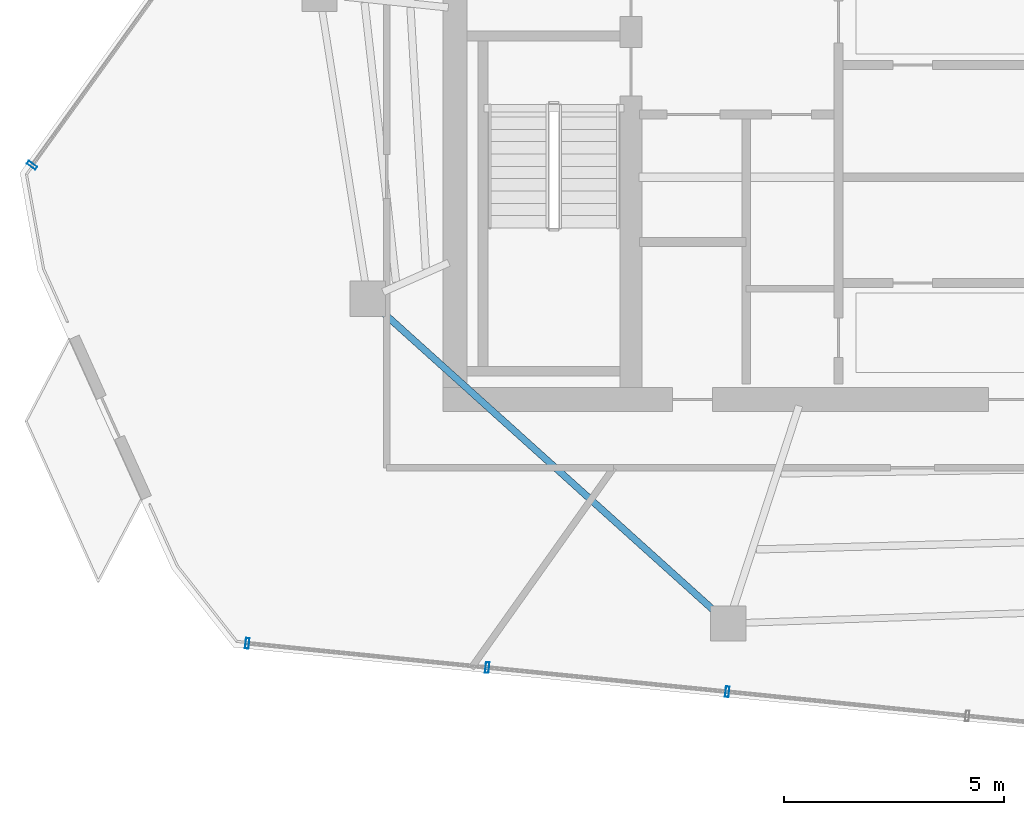
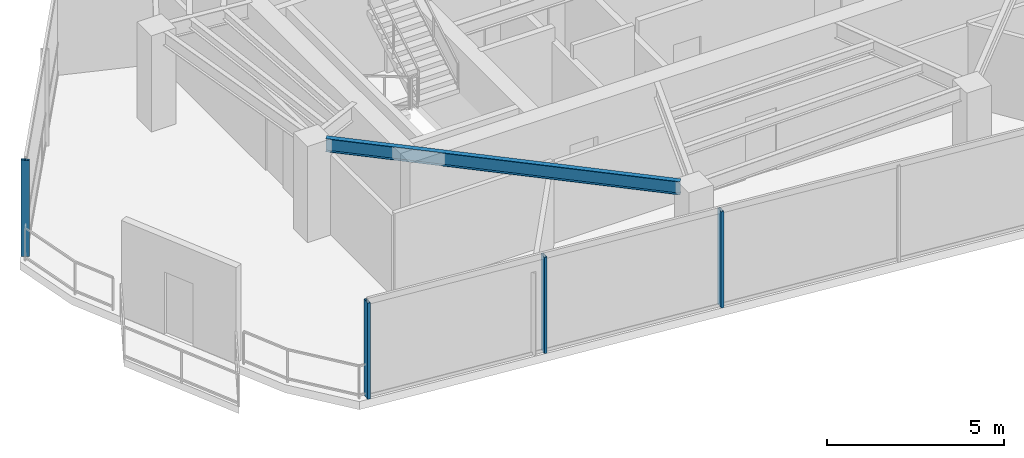
# One storey, part 2 of 18: 4 members, 1 beam, 2 elements without a shape of their own.
"""IFC4 building model written with IfcOpenShell, lengths in metres."""

from ifc_helpers import new_model, si_unit, direction, frame, origin, origin_2d, place, context, subcontext, project, spatial, hollow_rectangle, i_section, extrude, material, layer, layer_set, material_profile, profile_set, type_object, element, aggregate, save


model = new_model("IFC4")

# Units and contexts
model_context = context("Model", 3, precision=1e-05, world=origin(), true_north=direction((0.0, 1.0)))
body_context = subcontext(model_context, "Body", "Model", "MODEL_VIEW")
ifc_project = project(units=[si_unit("LENGTHUNIT", "METRE"), si_unit("AREAUNIT", "SQUARE_METRE"), si_unit("VOLUMEUNIT", "CUBIC_METRE"), si_unit("PLANEANGLEUNIT", "RADIAN"), si_unit("MASSUNIT", "GRAM", prefix="KILO")], contexts=[model_context])

# Site, building, storey
site_placement = place(None, origin())
site = spatial("IfcSite", under=ifc_project, at=site_placement, CompositionType="ELEMENT")
building_placement = place(site_placement, origin())
building = spatial("IfcBuilding", under=site, at=building_placement, Name="Qarnah Convention Tower", CompositionType="ELEMENT")
storey_placement = place(building_placement, frame((0.0, 0.0, 271.5)))
storey = spatial("IfcBuildingStorey", under=building, at=storey_placement, Name="L73", CompositionType="ELEMENT", Elevation=271.5)

# Beam
ifc_material_1 = material(Name="Structural steel S355JR", Category="steel")
ifc_material_profile_1 = material_profile(ifc_material_1, i_section(OverallWidth=0.154052734375, OverallDepth=0.4599609375, WebThickness=0.009033203125, FlangeThickness=0.014892578125, at=origin_2d()), Name="W460X68")
ifc_profile_set_1 = profile_set([ifc_material_profile_1], Name="Structural steel S355JR")
beam_type = type_object("IfcBeamType", Name="BM-SPN-W460B", PredefinedType="SPANDREL", material=ifc_profile_set_1)
beam_placement = place(storey_placement, frame((25.111083984375, 20.6279296875, 3.090087890625), z_axis=(0.743130570512, -0.669146437762, 0.0), x_axis=(0.669146437762, 0.743130570512, 0.0)))
element("IfcBeam", 1, at=beam_placement, inside=storey, type_object=beam_type, Name="L73 spandrel BM-L73-SPN-06", PredefinedType="SPANDREL", context=body_context, shape_type="SweptSolid", body=[
    extrude(i_section(OverallWidth=0.154052734375, OverallDepth=0.4599609375, WebThickness=0.009033203125, FlangeThickness=0.014892578125, at=origin_2d()), origin(), (0.0, 0.0, 1.0), 10.242919921875),
])

# Curtain wall, member
ifc_material_2 = material(Name="Tempered Low-E dark glass", Category="glass")
ifc_layer = layer(ifc_material_2, 0.176025390625)
ifc_layer_set = layer_set([ifc_layer], Name="Tempered Low-E dark glass")
curtain_wall_type = type_object("IfcCurtainWallType", Name="CWS-05", PredefinedType="NOTDEFINED", material=ifc_layer_set)
curtain_wall_1_placement = place(storey_placement, origin())
curtain_wall_1 = element("IfcCurtainWall", 2, at=curtain_wall_1_placement, inside=storey, type_object=curtain_wall_type, Name="L73 unitised curtain wall CW-L73-F1", PredefinedType="NOTDEFINED")
ifc_material_3 = material(Name="Black anodised aluminium", Category="aluminium")
ifc_material_profile_2 = material_profile(ifc_material_3, hollow_rectangle(XDim=0.080078125, YDim=0.239990234375, WallThickness=0.0048828125, at=origin_2d()), Name="MUL-80X240")
ifc_profile_set_2 = profile_set([ifc_material_profile_2], Name="Black anodised aluminium")
member_type = type_object("IfcMemberType", Name="MUL-T5", PredefinedType="MULLION", material=ifc_profile_set_2)
member_1_placement = place(storey_placement, frame((17.19189453125, 23.923095703125, 0.0), z_axis=(0.0, 0.0, 1.0), x_axis=(0.584392195379, 0.811471356229, 0.0)))
member_1 = element("IfcMember", 3, at=member_1_placement, type_object=member_type, Name="CW-L73-F1 mullion 1", PredefinedType="MULLION", context=body_context, shape_type="SweptSolid", body=[
    extrude(hollow_rectangle(XDim=0.080078125, YDim=0.239990234375, WallThickness=0.0048828125, at=origin_2d()), origin(), (0.0, 0.0, 1.0), 3.320068359375),
])
aggregate(curtain_wall_1, [member_1])

# Curtain wall, members
curtain_wall_2_placement = place(storey_placement, origin())
curtain_wall_2 = element("IfcCurtainWall", 4, at=curtain_wall_2_placement, inside=storey, type_object=curtain_wall_type, Name="L73 unitised curtain wall CW-L73-F3", PredefinedType="NOTDEFINED")
member_2_placement = place(storey_placement, frame((32.989501953125, 11.9609375, 0.0), z_axis=(0.0, 0.0, 1.0), x_axis=(-0.994952288594, 0.100349107729, 0.0)))
member_2 = element("IfcMember", 5, at=member_2_placement, type_object=member_type, Name="CW-L73-F3 mullion 4", PredefinedType="MULLION", context=body_context, shape_type="SweptSolid", body=[
    extrude(hollow_rectangle(XDim=0.080078125, YDim=0.239990234375, WallThickness=0.0048828125, at=origin_2d()), origin(), (0.0, 0.0, 1.0), 3.320068359375),
])
member_3_placement = place(storey_placement, frame((27.5361328125, 12.510986328125, 0.0), z_axis=(0.0, 0.0, 1.0), x_axis=(-0.994952288594, 0.100349107729, 0.0)))
member_3 = element("IfcMember", 6, at=member_3_placement, type_object=member_type, Name="CW-L73-F3 mullion 5", PredefinedType="MULLION", context=body_context, shape_type="SweptSolid", body=[
    extrude(hollow_rectangle(XDim=0.080078125, YDim=0.239990234375, WallThickness=0.0048828125, at=origin_2d()), origin(), (0.0, 0.0, 1.0), 3.320068359375),
])
member_4_placement = place(storey_placement, frame((22.0830078125, 13.06103515625, 0.0), z_axis=(0.0, 0.0, 1.0), x_axis=(-0.994952288594, 0.100349107729, 0.0)))
member_4 = element("IfcMember", 7, at=member_4_placement, type_object=member_type, Name="CW-L73-F3 mullion 6", PredefinedType="MULLION", context=body_context, shape_type="SweptSolid", body=[
    extrude(hollow_rectangle(XDim=0.080078125, YDim=0.239990234375, WallThickness=0.0048828125, at=origin_2d()), origin(), (0.0, 0.0, 1.0), 3.320068359375),
])
aggregate(curtain_wall_2, [member_2, member_3, member_4])

save(model, "model.ifc")
